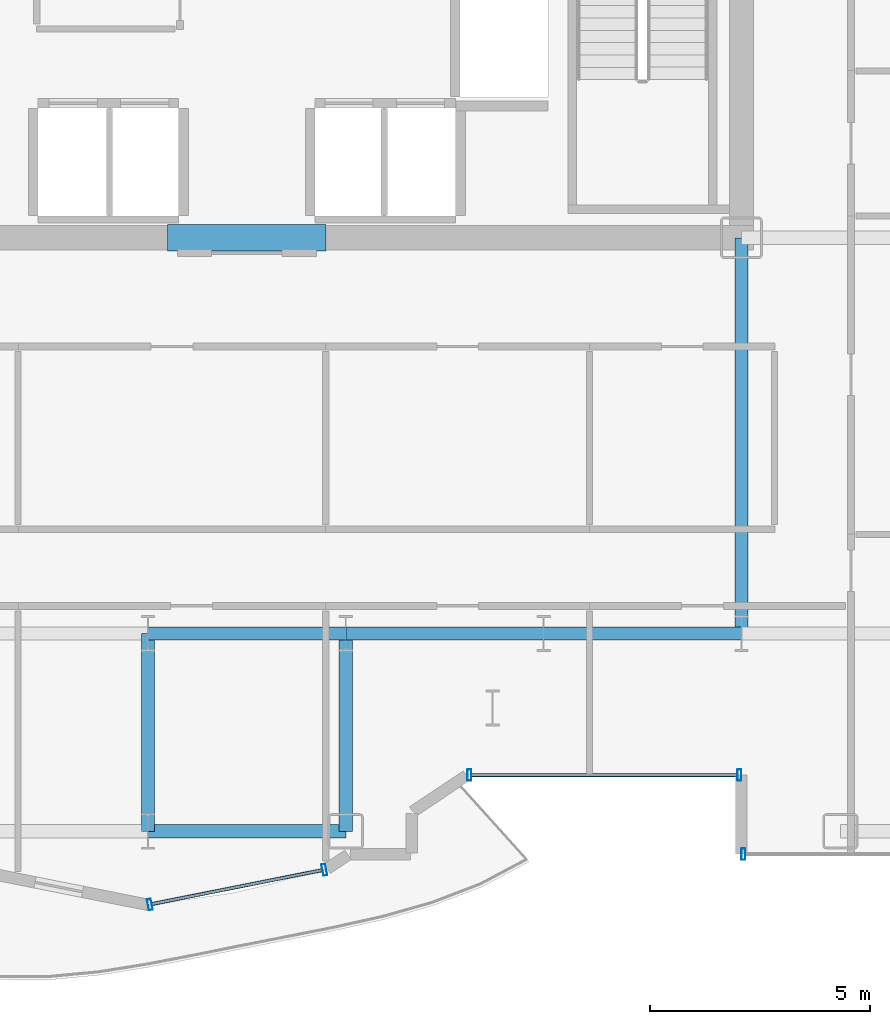
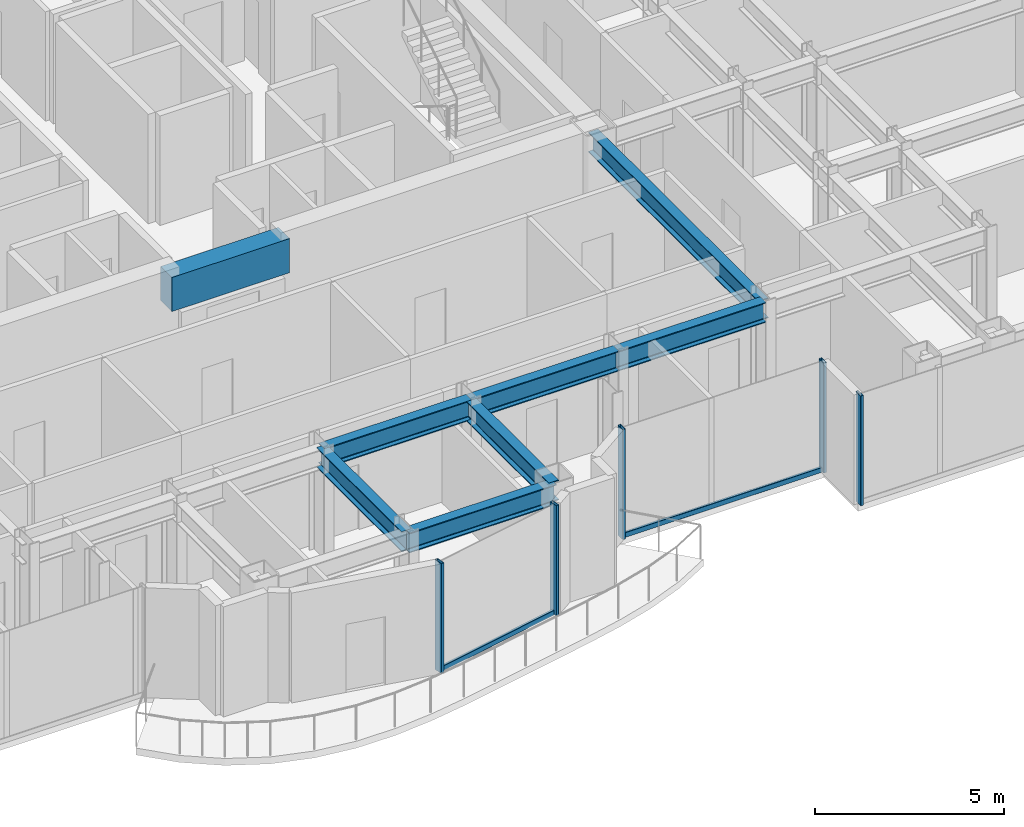
# One storey, part 7 of 22: 8 beams, 7 members, 3 elements without a shape of their own.
"""IFC4 building model written with IfcOpenShell, lengths in metres."""

from ifc_helpers import new_model, si_unit, direction, frame, origin, origin_2d, place, context, subcontext, project, spatial, rectangle, hollow_rectangle, i_section, extrude, source, transform, mapped, material, layer, layer_set, material_profile, profile_set, type_object, element, aggregate, save


model = new_model("IFC4")

# Units and contexts
model_context = context("Model", 3, precision=1e-05, world=origin(), true_north=direction((0.0, 1.0)))
body_context = subcontext(model_context, "Body", "Model", "MODEL_VIEW")
ifc_project = project(units=[si_unit("LENGTHUNIT", "METRE"), si_unit("AREAUNIT", "SQUARE_METRE"), si_unit("VOLUMEUNIT", "CUBIC_METRE"), si_unit("PLANEANGLEUNIT", "RADIAN"), si_unit("MASSUNIT", "GRAM", prefix="KILO")], contexts=[model_context])

# Site, building, storey
site_placement = place(None, origin())
site = spatial("IfcSite", under=ifc_project, at=site_placement, CompositionType="ELEMENT")
building_placement = place(site_placement, origin())
building = spatial("IfcBuilding", under=site, at=building_placement, Name="Nefas-Gora Pilgrimage Tower", CompositionType="ELEMENT")
storey_placement = place(building_placement, frame((0.0, 0.0, 179.199951171875)))
storey = spatial("IfcBuildingStorey", under=building, at=storey_placement, Name="L44", CompositionType="ELEMENT", Elevation=179.199951171875)

# Beams
ifc_material_1 = material(Name="Concrete C60/75", Category="concrete")
ifc_material_profile_1 = material_profile(ifc_material_1, rectangle(XDim=0.60009765625, YDim=1.10009765625, at=origin_2d()), Name="RC 600x1100")
ifc_profile_set_1 = profile_set([ifc_material_profile_1], Name="Concrete C60/75")
beam_type_1 = type_object("IfcBeamType", Name="BM-LIN-RC1100", PredefinedType="LINTEL", material=ifc_profile_set_1)
shared_shape_1 = source(origin(), body_context, "Body", "SweptSolid", [
    extrude(rectangle(XDim=0.60009765625, YDim=1.10009765625, at=origin_2d()), origin(), (0.0, 0.0, 1.0), 3.60009765625),
])
beam_1_placement = place(storey_placement, frame((-1.800048828125, -9.0, 3.0), z_axis=(1.0, 0.0, 0.0), x_axis=(0.0, 1.0, 0.0)))
element("IfcBeam", 1, at=beam_1_placement, inside=storey, type_object=beam_type_1, Name="L44 Core Coupling Lintel Beam S", PredefinedType="LINTEL", context=body_context, shape_type="MappedRepresentation", body=[
    mapped(shared_shape_1, transform((0.0, 0.0, 0.0), x_axis=(1.0, 0.0, 0.0), y_axis=(0.0, 1.0, 0.0), z_axis=(0.0, 0.0, 1.0), scale=1.0)),
])
ifc_material_2 = material(Name="Steel S355", Category="steel")
ifc_material_profile_2 = material_profile(ifc_material_2, i_section(OverallWidth=0.300048828125, OverallDepth=0.64990234375, WebThickness=0.01611328125, FlangeThickness=0.031005859375, FilletRadius=0.027099609375, at=origin_2d()), Name="HEB 650")
ifc_profile_set_2 = profile_set([ifc_material_profile_2], Name="Steel S355")
beam_type_2 = type_object("IfcBeamType", Name="BM-GIR-HEB650", PredefinedType="BEAM", material=ifc_profile_set_2)
shared_shape_2 = source(origin(), body_context, "Body", "SweptSolid", [
    extrude(i_section(OverallWidth=0.300048828125, OverallDepth=0.64990234375, WebThickness=0.01611328125, FlangeThickness=0.031005859375, FilletRadius=0.027099609375, at=origin_2d()), origin(), (0.0, 0.0, 1.0), 9.0),
])
beam_2_placement = place(storey_placement, frame((11.25, -18.0, 3.22509765625), z_axis=(0.0, 1.0, 0.0), x_axis=(-1.0, 0.0, 0.0)))
element("IfcBeam", 2, at=beam_2_placement, inside=storey, type_object=beam_type_2, Name="L44 G-03 beam", PredefinedType="BEAM", context=body_context, shape_type="MappedRepresentation", body=[
    mapped(shared_shape_2, transform((0.0, 0.0, 0.0), x_axis=(1.0, 0.0, 0.0), y_axis=(0.0, 1.0, 0.0), z_axis=(0.0, 0.0, 1.0), scale=1.0)),
])
shared_shape_3 = source(origin(), body_context, "Body", "SweptSolid", [
    extrude(i_section(OverallWidth=0.300048828125, OverallDepth=0.64990234375, WebThickness=0.01611328125, FlangeThickness=0.031005859375, FilletRadius=0.027099609375, at=origin_2d()), origin(), (0.0, 0.0, 1.0), 4.5),
])
for number, where, z_axis, x_axis, name in (
    (3, (-2.25, -22.5, 3.22509765625), (0.0, 1.0, 0.0), (-1.0, 0.0, 0.0), "L44 G-03 beam"),
    (4, (-2.25, -22.5, 3.22509765625), (1.0, 0.0, 0.0), (0.0, 1.0, 0.0), "L44 G-03 beam"),
    (5, (-2.25, -18.0, 3.22509765625), (1.0, 0.0, 0.0), (0.0, 1.0, 0.0), "L44 G-03 beam"),
    (6, (2.25, -22.5, 3.22509765625), (0.0, 1.0, 0.0), (-1.0, 0.0, 0.0), "L44 G-03 beam"),
    (7, (2.25, -18.0, 3.22509765625), (1.0, 0.0, 0.0), (0.0, 1.0, 0.0), "L44 G-03 beam"),
    (8, (6.75, -18.0, 3.22509765625), (1.0, 0.0, 0.0), (0.0, 1.0, 0.0), "L44 G-03 beam"),
):
    element("IfcBeam", number, at=place(storey_placement, frame(where, z_axis=z_axis, x_axis=x_axis)), inside=storey, type_object=beam_type_2, Name=name, PredefinedType="BEAM", context=body_context, shape_type="MappedRepresentation", body=[
        mapped(shared_shape_3, transform((0.0, 0.0, 0.0), x_axis=(1.0, 0.0, 0.0), y_axis=(0.0, 1.0, 0.0), z_axis=(0.0, 0.0, 1.0), scale=1.0)),
    ])

# Curtain wall, members
ifc_material_3 = material(Name="Dark ceramic-fritted solar-control aluminium-glass curtain wall", Category="aluminium")
ifc_layer_1 = layer(ifc_material_3, 0.219970703125)
ifc_layer_set_1 = layer_set([ifc_layer_1], Name="Dark ceramic-fritted solar-control aluminium-glass curtain wall")
curtain_wall_type_1 = type_object("IfcCurtainWallType", Name="CW-SYS-5", PredefinedType="NOTDEFINED", material=ifc_layer_set_1)
curtain_wall_1_placement = place(storey_placement, origin())
curtain_wall_1 = element("IfcCurtainWall", 9, at=curtain_wall_1_placement, inside=storey, type_object=curtain_wall_type_1, Name="L44 Unitised Curtain Wall CW5", PredefinedType="NOTDEFINED")
ifc_material_4 = material(Name="Anodised architectural aluminium", Category="aluminium")
ifc_material_profile_3 = material_profile(ifc_material_4, hollow_rectangle(XDim=0.090087890625, YDim=0.260009765625, WallThickness=0.006103515625, InnerFilletRadius=0.006103515625, OuterFilletRadius=0.011962890625, at=origin_2d()), Name="ALU MULLION 90x260")
ifc_profile_set_3 = profile_set([ifc_material_profile_3], Name="Anodised architectural aluminium")
member_type_1 = type_object("IfcMemberType", Name="CWM-MUL-5", PredefinedType="MULLION", material=ifc_profile_set_3)
shared_shape_4 = source(origin(), body_context, "Body", "SweptSolid", [
    extrude(hollow_rectangle(XDim=0.090087890625, YDim=0.260009765625, WallThickness=0.006103515625, InnerFilletRadius=0.006103515625, OuterFilletRadius=0.011962890625, at=origin_2d()), origin(), (0.0, 0.0, 1.0), 3.550048828125),
])
member_1_placement = place(storey_placement, frame((5.06298828125, -21.219970703125, 0.0), z_axis=(0.0, 0.0, 1.0), x_axis=(1.0, 0.0, 0.0)))
member_1 = element("IfcMember", 10, at=member_1_placement, type_object=member_type_1, Name="CW5 Mullion 1", PredefinedType="MULLION", context=body_context, shape_type="MappedRepresentation", body=[
    mapped(shared_shape_4, transform((0.0, 0.0, 0.0), x_axis=(1.0, 0.0, 0.0), y_axis=(0.0, 1.0, 0.0), z_axis=(0.0, 0.0, 1.0), scale=1.0)),
])
member_2_placement = place(storey_placement, frame((11.205078125, -21.219970703125, 0.0), z_axis=(0.0, 0.0, 1.0), x_axis=(1.0, 0.0, 0.0)))
member_2 = element("IfcMember", 11, at=member_2_placement, type_object=member_type_1, Name="CW5 Mullion 2", PredefinedType="MULLION", context=body_context, shape_type="MappedRepresentation", body=[
    mapped(shared_shape_4, transform((0.0, 0.0, 0.0), x_axis=(1.0, 0.0, 0.0), y_axis=(0.0, 1.0, 0.0), z_axis=(0.0, 0.0, 1.0), scale=1.0)),
])

curtain_wall_2_placement = place(storey_placement, origin())
curtain_wall_2 = element("IfcCurtainWall", 12, at=curtain_wall_2_placement, inside=storey, type_object=curtain_wall_type_1, Name="L44 Unitised Curtain Wall CW5", PredefinedType="NOTDEFINED")
member_3_placement = place(storey_placement, frame((-2.205810546875, -24.16357421875, 0.0), z_axis=(0.0, 0.0, 1.0), x_axis=(0.980782896852, 0.195102304554, 0.0)))
member_3 = element("IfcMember", 13, at=member_3_placement, type_object=member_type_1, Name="CW5 Mullion 1", PredefinedType="MULLION", context=body_context, shape_type="MappedRepresentation", body=[
    mapped(shared_shape_4, transform((0.0, 0.0, 0.0), x_axis=(1.0, 0.0, 0.0), y_axis=(0.0, 1.0, 0.0), z_axis=(0.0, 0.0, 1.0), scale=1.0)),
])
member_4_placement = place(storey_placement, frame((1.76318359375, -23.3740234375, 0.0), z_axis=(0.0, 0.0, 1.0), x_axis=(0.980782896852, 0.195102304554, 0.0)))
member_4 = element("IfcMember", 14, at=member_4_placement, type_object=member_type_1, Name="CW5 Mullion 2", PredefinedType="MULLION", context=body_context, shape_type="MappedRepresentation", body=[
    mapped(shared_shape_4, transform((0.0, 0.0, 0.0), x_axis=(1.0, 0.0, 0.0), y_axis=(0.0, 1.0, 0.0), z_axis=(0.0, 0.0, 1.0), scale=1.0)),
])

# Member
ifc_material_profile_4 = material_profile(ifc_material_4, hollow_rectangle(XDim=0.080078125, YDim=0.159912109375, WallThickness=0.00439453125, InnerFilletRadius=0.00439453125, OuterFilletRadius=0.009033203125, at=origin_2d()), Name="ALU TRANSOM 80x160")
ifc_profile_set_4 = profile_set([ifc_material_profile_4], Name="Anodised architectural aluminium")
member_type_2 = type_object("IfcMemberType", Name="CWM-TRN-5", PredefinedType="USERDEFINED", material=ifc_profile_set_4)
shared_shape_5 = source(origin(), body_context, "Body", "SweptSolid", [
    extrude(hollow_rectangle(XDim=0.080078125, YDim=0.159912109375, WallThickness=0.00439453125, InnerFilletRadius=0.00439453125, OuterFilletRadius=0.009033203125, at=origin_2d()), origin(), (0.0, 0.0, 1.0), 6.052001953125),
])
member_5_placement = place(storey_placement, frame((5.10791015625, -21.219970703125, 0.050048828125), z_axis=(1.0, 0.0, 0.0), x_axis=(0.0, 1.0, 0.0)))
member_5 = element("IfcMember", 15, at=member_5_placement, type_object=member_type_2, Name="CW5 Spandrel Transom", ObjectType="TRANSOM", PredefinedType="USERDEFINED", context=body_context, shape_type="MappedRepresentation", body=[
    mapped(shared_shape_5, transform((0.0, 0.0, 0.0), x_axis=(1.0, 0.0, 0.0), y_axis=(0.0, 1.0, 0.0), z_axis=(0.0, 0.0, 1.0), scale=1.0)),
])

aggregate(curtain_wall_1, [member_1, member_2, member_5])

shared_shape_6 = source(origin(), body_context, "Body", "SweptSolid", [
    extrude(hollow_rectangle(XDim=0.080078125, YDim=0.159912109375, WallThickness=0.00439453125, InnerFilletRadius=0.00439453125, OuterFilletRadius=0.009033203125, at=origin_2d()), origin(), (0.0, 0.0, 1.0), 3.95654296875),
])
member_6_placement = place(storey_placement, frame((-2.16162109375, -24.15478515625, 0.050048828125), z_axis=(0.980781880918, 0.195107411605, 0.0), x_axis=(-0.195107411605, 0.980781880918, 0.0)))
member_6 = element("IfcMember", 16, at=member_6_placement, type_object=member_type_2, Name="CW5 Spandrel Transom", ObjectType="TRANSOM", PredefinedType="USERDEFINED", context=body_context, shape_type="MappedRepresentation", body=[
    mapped(shared_shape_6, transform((0.0, 0.0, 0.0), x_axis=(1.0, 0.0, 0.0), y_axis=(0.0, 1.0, 0.0), z_axis=(0.0, 0.0, 1.0), scale=1.0)),
])

aggregate(curtain_wall_2, [member_3, member_4, member_6])

# Curtain wall, member
ifc_layer_2 = layer(ifc_material_3, 0.219970703125)
ifc_layer_set_2 = layer_set([ifc_layer_2], Name="Dark ceramic-fritted solar-control aluminium-glass curtain wall")
curtain_wall_type_2 = type_object("IfcCurtainWallType", Name="CW-SYS-3", PredefinedType="NOTDEFINED", material=ifc_layer_set_2)
curtain_wall_3_placement = place(storey_placement, origin())
curtain_wall_3 = element("IfcCurtainWall", 17, at=curtain_wall_3_placement, inside=storey, type_object=curtain_wall_type_2, Name="L44 Unitised Curtain Wall CW3", PredefinedType="NOTDEFINED")
ifc_material_profile_5 = material_profile(ifc_material_4, hollow_rectangle(XDim=0.090087890625, YDim=0.260009765625, WallThickness=0.006103515625, InnerFilletRadius=0.006103515625, OuterFilletRadius=0.011962890625, at=origin_2d()), Name="ALU MULLION 90x260")
ifc_profile_set_5 = profile_set([ifc_material_profile_5], Name="Anodised architectural aluminium")
member_type_3 = type_object("IfcMemberType", Name="CWM-MUL-3", PredefinedType="MULLION", material=ifc_profile_set_5)
shared_shape_7 = source(origin(), body_context, "Body", "SweptSolid", [
    extrude(hollow_rectangle(XDim=0.090087890625, YDim=0.260009765625, WallThickness=0.006103515625, InnerFilletRadius=0.006103515625, OuterFilletRadius=0.011962890625, at=origin_2d()), origin(), (0.0, 0.0, 1.0), 3.550048828125),
])
member_7_placement = place(storey_placement, frame((11.294921875, -23.02001953125, 0.0), z_axis=(0.0, 0.0, 1.0), x_axis=(1.0, 0.0, 0.0)))
member_7 = element("IfcMember", 18, at=member_7_placement, type_object=member_type_3, Name="CW3 Mullion 1", PredefinedType="MULLION", context=body_context, shape_type="MappedRepresentation", body=[
    mapped(shared_shape_7, transform((0.0, 0.0, 0.0), x_axis=(1.0, 0.0, 0.0), y_axis=(0.0, 1.0, 0.0), z_axis=(0.0, 0.0, 1.0), scale=1.0)),
])
aggregate(curtain_wall_3, [member_7])

save(model, "model.ifc")
